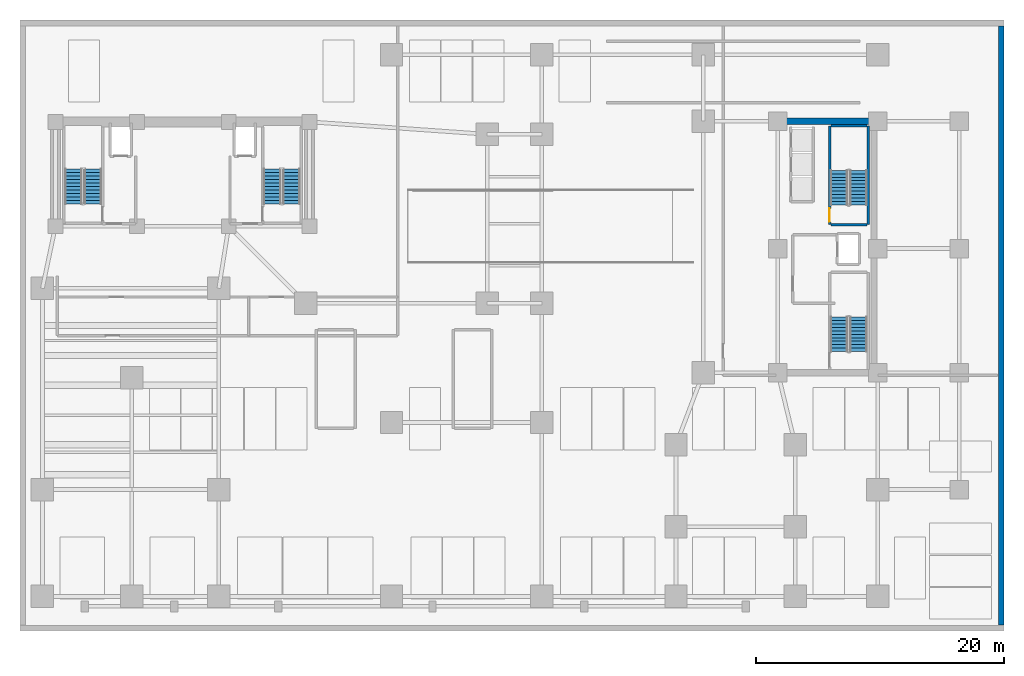
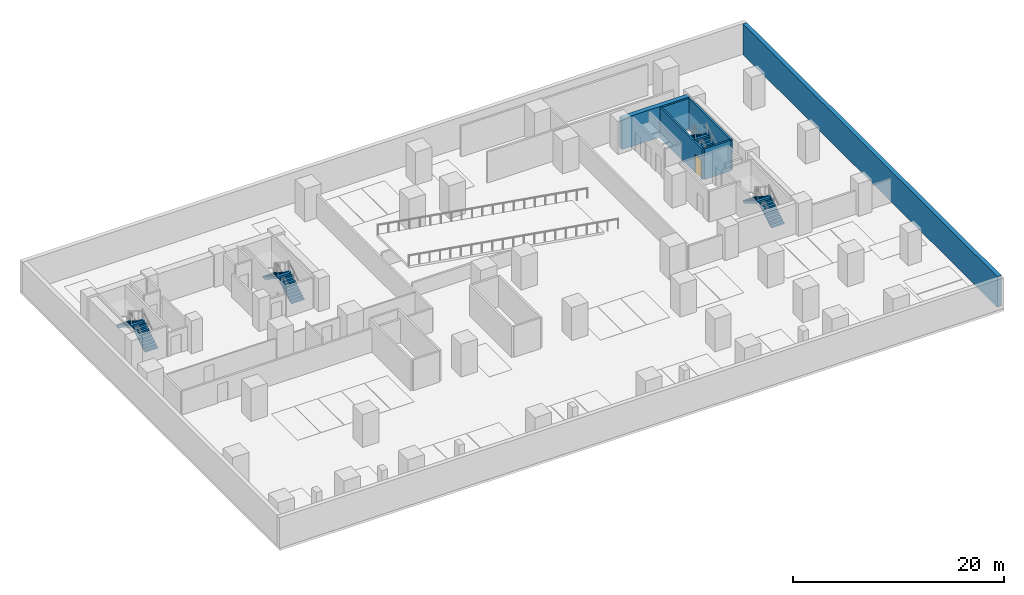
# One storey, part 4 of 9: 8 stair flights, 6 walls, 1 door, 1 opening, 4 elements without a shape of their own.
"""IFC4 building model written with IfcOpenShell, lengths in metres."""

from ifc_helpers import new_model, si_unit, direction, frame, frame_2d, origin, place, context, subcontext, project, spatial, polyline, rectangle, outline, extrude, material, layer, layer_set, type_object, element, fill, aggregate, save


model = new_model("IFC4")

# Units and contexts
model_context = context("Model", 3, precision=1e-05, world=origin(), true_north=direction((0.0, 1.0)))
body_context = subcontext(model_context, "Body", "Model", "MODEL_VIEW")
ifc_project = project(units=[si_unit("LENGTHUNIT", "METRE"), si_unit("AREAUNIT", "SQUARE_METRE"), si_unit("VOLUMEUNIT", "CUBIC_METRE"), si_unit("PLANEANGLEUNIT", "RADIAN"), si_unit("MASSUNIT", "GRAM", prefix="KILO")], contexts=[model_context])

# Site, building, storey
site_placement = place(None, origin())
site = spatial("IfcSite", under=ifc_project, at=site_placement, CompositionType="ELEMENT")
building_placement = place(site_placement, origin())
building = spatial("IfcBuilding", under=site, at=building_placement, Name="Kuzgunbayir Cultural Tower", CompositionType="ELEMENT")
storey_placement = place(building_placement, frame((0.0, 0.0, -7.60009765625)))
storey = spatial("IfcBuildingStorey", under=building, at=storey_placement, Name="B02", CompositionType="ELEMENT", Elevation=-7.60009765625)

# Wall
ifc_material_1 = material(Name="Concrete C40/50", Category="concrete")
ifc_layer_1 = layer(ifc_material_1, 0.449951171875)
ifc_layer_set_1 = layer_set([ifc_layer_1], Name="Concrete C40/50")
wall_type_1 = type_object("IfcWallType", Name="WAL-EXT-BSM-450", PredefinedType="SOLIDWALL", material=ifc_layer_set_1)
wall_1_placement = place(storey_placement, frame((82.580078125, 1.699951171875, 0.0), z_axis=(0.0, 0.0, 1.0), x_axis=(0.0, 1.0, 0.0)))
element("IfcWall", 1, at=wall_1_placement, inside=storey, type_object=wall_type_1, Name="B02 East Retaining Wall", PredefinedType="SOLIDWALL", context=body_context, shape_type="SweptSolid", body=[
    extrude(rectangle(XDim=48.199951171875, YDim=0.449951171875, at=frame_2d((24.10009765625, 0.0))), origin(), (0.0, 0.0, 1.0), 3.550048828125),
])

# Wall, opening, door
ifc_layer_2 = layer(ifc_material_1, 0.199951171875)
ifc_layer_set_2 = layer_set([ifc_layer_2], Name="Concrete C40/50")
wall_type_2 = type_object("IfcWallType", Name="WAL-STAIR-RC-200", PredefinedType="SHEAR", material=ifc_layer_set_2)
wall_2_placement = place(storey_placement, frame((68.760009765625, 33.919921875, 0.0), z_axis=(0.0, 0.0, 1.0), x_axis=(0.0, 1.0, 0.0)))
wall_2 = element("IfcWall", 2, at=wall_2_placement, inside=storey, type_object=wall_type_2, Name="B02 Stair ST-4 West Structural Wall", PredefinedType="SHEAR", context=body_context, shape_type="SweptSolid", body=[
    extrude(rectangle(XDim=7.9599609375, YDim=0.199951171875, at=frame_2d((3.97998046875, 0.0))), origin(), (0.0, 0.0, 1.0), 3.550048828125),
])
opening_placement = place(wall_2_placement, frame((0.219970703125, 0.0, 0.0)))
opening = element("IfcOpeningElement", 3, at=opening_placement, cuts=wall_2, Name="Opening DR-STAIR-90", PredefinedType="OPENING", context=body_context, shape_type="SweptSolid", body=[
    extrude(rectangle(XDim=1.10009765625, YDim=2.14990234375, at=frame_2d((0.550048828125, 1.074951171875))), frame((0.0, 0.10986328125, 0.0), z_axis=(0.0, -1.0, 0.0), x_axis=(1.0, 0.0, 0.0)), (0.0, 0.0, 1.0), 0.219970703125),
])
ifc_material_2 = material(Name="Steel S355J2", Category="steel")
door_type = type_object("IfcDoorType", Name="DR-STAIR-90", OperationType="NOTDEFINED", PredefinedType="DOOR", material=ifc_material_2)
door_placement = place(opening_placement, origin())
door = element("IfcDoor", 4, at=door_placement, inside=storey, type_object=door_type, Name="B02 Stair ST-4 Fire Door", OperationType="SINGLE_SWING_LEFT", OverallHeight=2.14990234375, OverallWidth=1.10009765625, PredefinedType="DOOR", context=body_context, shape_type="SweptSolid", body=[
    extrude(rectangle(XDim=1.10009765625, YDim=2.14990234375, at=frame_2d((0.550048828125, 1.074951171875))), frame((0.0, 0.02490234375, 0.0), z_axis=(0.0, -1.0, 0.0), x_axis=(1.0, 0.0, 0.0)), (0.0, 0.0, 1.0), 0.050048828125),
])
fill(opening, door)

# Walls
wall_3_placement = place(storey_placement, frame((71.8798828125, 33.919921875, 0.0), z_axis=(0.0, 0.0, 1.0), x_axis=(0.0, 1.0, 0.0)))
element("IfcWall", 5, at=wall_3_placement, inside=storey, type_object=wall_type_2, Name="B02 Stair ST-4 East Structural Wall", PredefinedType="SHEAR", context=body_context, shape_type="SweptSolid", body=[
    extrude(rectangle(XDim=7.9599609375, YDim=0.199951171875, at=frame_2d((3.97998046875, 0.0))), origin(), (0.0, 0.0, 1.0), 3.550048828125),
])
for number, where, z_axis, x_axis, name in (
    (6, (68.8798828125, 41.8798828125, 0.0), (0.0, 0.0, 1.0), (1.0, 0.0, 0.0), "B02 Stair ST-4 North Structural Wall"),
    (7, (68.8798828125, 33.919921875, 0.0), (0.0, 0.0, 1.0), (1.0, 0.0, 0.0), "B02 Stair ST-4 South Structural Wall"),
):
    element("IfcWall", number, at=place(storey_placement, frame(where, z_axis=z_axis, x_axis=x_axis)), inside=storey, type_object=wall_type_2, Name=name, PredefinedType="SHEAR", context=body_context, shape_type="SweptSolid", body=[
        extrude(rectangle(XDim=2.880126953125, YDim=0.199951171875, at=frame_2d((1.43994140625, 0.0))), origin(), (0.0, 0.0, 1.0), 3.550048828125),
    ])
ifc_material_3 = material(Name="Concrete C60/75", Category="concrete")
ifc_layer_3 = layer(ifc_material_3, 0.5)
ifc_layer_set_3 = layer_set([ifc_layer_3], Name="Concrete C60/75")
wall_type_3 = type_object("IfcWallType", Name="WAL-T2-CORE-500", PredefinedType="SHEAR", material=ifc_layer_set_3)
wall_4_placement = place(storey_placement, frame((64.60009765625, 42.25, 0.0), z_axis=(0.0, 0.0, 1.0), x_axis=(1.0, 0.0, 0.0)))
element("IfcWall", 8, at=wall_4_placement, inside=storey, type_object=wall_type_3, Name="B02 Companion Core North Shear Wall", PredefinedType="SHEAR", context=body_context, shape_type="SweptSolid", body=[
    extrude(rectangle(XDim=7.5, YDim=0.5, at=frame_2d((3.75, 0.0))), origin(), (0.0, 0.0, 1.0), 3.550048828125),
])

# Stair, stair flights
stair_type = type_object("IfcStairType", Name="STR-EXIT-CORE", PredefinedType="HALF_TURN_STAIR", material=ifc_material_1)
stair_1_placement = place(storey_placement, origin())
stair_1 = element("IfcStair", 9, at=stair_1_placement, inside=storey, type_object=stair_type, Name="B02 ST-1", PredefinedType="HALF_TURN_STAIR")
stair_flight_type = type_object("IfcStairFlightType", Name="STRF-RC-140", PredefinedType="STRAIGHT", material=ifc_material_1)
stair_flight_1_placement = place(storey_placement, frame((9.4599609375, 35.60009765625, 0.0), z_axis=(0.0, 0.0, 1.0), x_axis=(0.0, 1.0, 0.0)))
stair_flight_1 = element("IfcStairFlight", 10, at=stair_flight_1_placement, type_object=stair_flight_type, Name="ST-1 flight 1", NumberOfRisers=11, NumberOfTreads=10, PredefinedType="STRAIGHT", RiserHeight=0.172727273, TreadLength=0.28, context=body_context, shape_type="SweptSolid", body=[
    extrude(outline(polyline([(0.0, 0.0), (0.0, 0.172607421875), (0.280029296875, 0.172607421875), (0.280029296875, 0.345458984375), (0.56005859375, 0.345458984375), (0.56005859375, 0.51806640625), (0.840087890625, 0.51806640625), (0.840087890625, 0.69091796875), (1.1201171875, 0.69091796875), (1.1201171875, 0.863525390625), (1.39990234375, 0.863525390625), (1.39990234375, 1.036376953125), (1.679931640625, 1.036376953125), (1.679931640625, 1.208984375), (1.9599609375, 1.208984375), (1.9599609375, 1.3818359375), (2.239990234375, 1.3818359375), (2.239990234375, 1.554443359375), (2.52001953125, 1.554443359375), (2.52001953125, 1.727294921875), (2.800048828125, 1.727294921875), (2.800048828125, 1.89990234375), (2.800048828125, 1.515869140625), (0.3427734375, 0.0), (0.0, 0.0)])), frame((0.0, 0.699951171875, 0.0), z_axis=(0.0, -1.0, 0.0), x_axis=(1.0, 0.0, 0.0)), (0.0, 0.0, 1.0), 1.39990234375),
])
stair_flight_2_placement = place(storey_placement, frame((7.89990234375, 38.39990234375, 1.900146484375), z_axis=(0.0, 0.0, 1.0), x_axis=(0.0, -1.0, 0.0)))
stair_flight_2 = element("IfcStairFlight", 11, at=stair_flight_2_placement, type_object=stair_flight_type, Name="ST-1 flight 2", NumberOfRisers=11, NumberOfTreads=10, PredefinedType="STRAIGHT", RiserHeight=0.172727273, TreadLength=0.28, context=body_context, shape_type="SweptSolid", body=[
    extrude(outline(polyline([(0.0, 0.0), (0.0, 0.172607421875), (0.280029296875, 0.172607421875), (0.280029296875, 0.345458984375), (0.56005859375, 0.345458984375), (0.56005859375, 0.51806640625), (0.840087890625, 0.51806640625), (0.840087890625, 0.69091796875), (1.1201171875, 0.69091796875), (1.1201171875, 0.863525390625), (1.39990234375, 0.863525390625), (1.39990234375, 1.036376953125), (1.679931640625, 1.036376953125), (1.679931640625, 1.208984375), (1.9599609375, 1.208984375), (1.9599609375, 1.3818359375), (2.239990234375, 1.3818359375), (2.239990234375, 1.554443359375), (2.52001953125, 1.554443359375), (2.52001953125, 1.727294921875), (2.800048828125, 1.727294921875), (2.800048828125, 1.89990234375), (2.800048828125, 1.515869140625), (0.3427734375, 0.0), (0.0, 0.0)])), frame((0.0, 0.699951171875, 0.0), z_axis=(0.0, -1.0, 0.0), x_axis=(1.0, 0.0, 0.0)), (0.0, 0.0, 1.0), 1.39990234375),
])
aggregate(stair_1, [stair_flight_1, stair_flight_2])

stair_2_placement = place(storey_placement, origin())
stair_2 = element("IfcStair", 12, at=stair_2_placement, inside=storey, type_object=stair_type, Name="B02 ST-2", PredefinedType="HALF_TURN_STAIR")
stair_flight_3_placement = place(storey_placement, frame((25.4599609375, 35.60009765625, 0.0), z_axis=(0.0, 0.0, 1.0), x_axis=(0.0, 1.0, 0.0)))
stair_flight_3 = element("IfcStairFlight", 13, at=stair_flight_3_placement, type_object=stair_flight_type, Name="ST-2 flight 1", NumberOfRisers=11, NumberOfTreads=10, PredefinedType="STRAIGHT", RiserHeight=0.172727273, TreadLength=0.28, context=body_context, shape_type="SweptSolid", body=[
    extrude(outline(polyline([(0.0, 0.0), (0.0, 0.172607421875), (0.280029296875, 0.172607421875), (0.280029296875, 0.345458984375), (0.56005859375, 0.345458984375), (0.56005859375, 0.51806640625), (0.840087890625, 0.51806640625), (0.840087890625, 0.69091796875), (1.1201171875, 0.69091796875), (1.1201171875, 0.863525390625), (1.39990234375, 0.863525390625), (1.39990234375, 1.036376953125), (1.679931640625, 1.036376953125), (1.679931640625, 1.208984375), (1.9599609375, 1.208984375), (1.9599609375, 1.3818359375), (2.239990234375, 1.3818359375), (2.239990234375, 1.554443359375), (2.52001953125, 1.554443359375), (2.52001953125, 1.727294921875), (2.800048828125, 1.727294921875), (2.800048828125, 1.89990234375), (2.800048828125, 1.515869140625), (0.3427734375, 0.0), (0.0, 0.0)])), frame((0.0, 0.699951171875, 0.0), z_axis=(0.0, -1.0, 0.0), x_axis=(1.0, 0.0, 0.0)), (0.0, 0.0, 1.0), 1.39990234375),
])
stair_flight_4_placement = place(storey_placement, frame((23.89990234375, 38.39990234375, 1.900146484375), z_axis=(0.0, 0.0, 1.0), x_axis=(0.0, -1.0, 0.0)))
stair_flight_4 = element("IfcStairFlight", 14, at=stair_flight_4_placement, type_object=stair_flight_type, Name="ST-2 flight 2", NumberOfRisers=11, NumberOfTreads=10, PredefinedType="STRAIGHT", RiserHeight=0.172727273, TreadLength=0.28, context=body_context, shape_type="SweptSolid", body=[
    extrude(outline(polyline([(0.0, 0.0), (0.0, 0.172607421875), (0.280029296875, 0.172607421875), (0.280029296875, 0.345458984375), (0.56005859375, 0.345458984375), (0.56005859375, 0.51806640625), (0.840087890625, 0.51806640625), (0.840087890625, 0.69091796875), (1.1201171875, 0.69091796875), (1.1201171875, 0.863525390625), (1.39990234375, 0.863525390625), (1.39990234375, 1.036376953125), (1.679931640625, 1.036376953125), (1.679931640625, 1.208984375), (1.9599609375, 1.208984375), (1.9599609375, 1.3818359375), (2.239990234375, 1.3818359375), (2.239990234375, 1.554443359375), (2.52001953125, 1.554443359375), (2.52001953125, 1.727294921875), (2.800048828125, 1.727294921875), (2.800048828125, 1.89990234375), (2.800048828125, 1.515869140625), (0.3427734375, 0.0), (0.0, 0.0)])), frame((0.0, 0.699951171875, 0.0), z_axis=(0.0, -1.0, 0.0), x_axis=(1.0, 0.0, 0.0)), (0.0, 0.0, 1.0), 1.39990234375),
])
aggregate(stair_2, [stair_flight_3, stair_flight_4])

stair_3_placement = place(storey_placement, origin())
stair_3 = element("IfcStair", 15, at=stair_3_placement, inside=storey, type_object=stair_type, Name="B02 ST-3", PredefinedType="HALF_TURN_STAIR")
stair_flight_5_placement = place(storey_placement, frame((71.10009765625, 23.699951171875, 0.0), z_axis=(0.0, 0.0, 1.0), x_axis=(0.0, 1.0, 0.0)))
stair_flight_5 = element("IfcStairFlight", 16, at=stair_flight_5_placement, type_object=stair_flight_type, Name="ST-3 flight 1", NumberOfRisers=11, NumberOfTreads=10, PredefinedType="STRAIGHT", RiserHeight=0.172727273, TreadLength=0.28, context=body_context, shape_type="SweptSolid", body=[
    extrude(outline(polyline([(0.0, 0.0), (0.0, 0.172607421875), (0.280029296875, 0.172607421875), (0.280029296875, 0.345458984375), (0.56005859375, 0.345458984375), (0.56005859375, 0.51806640625), (0.840087890625, 0.51806640625), (0.840087890625, 0.69091796875), (1.1201171875, 0.69091796875), (1.1201171875, 0.863525390625), (1.39990234375, 0.863525390625), (1.39990234375, 1.036376953125), (1.679931640625, 1.036376953125), (1.679931640625, 1.208984375), (1.9599609375, 1.208984375), (1.9599609375, 1.3818359375), (2.239990234375, 1.3818359375), (2.239990234375, 1.554443359375), (2.52001953125, 1.554443359375), (2.52001953125, 1.727294921875), (2.800048828125, 1.727294921875), (2.800048828125, 1.89990234375), (2.800048828125, 1.515869140625), (0.3427734375, 0.0), (0.0, 0.0)])), frame((0.0, 0.699951171875, 0.0), z_axis=(0.0, -1.0, 0.0), x_axis=(1.0, 0.0, 0.0)), (0.0, 0.0, 1.0), 1.39990234375),
])
stair_flight_6_placement = place(storey_placement, frame((69.5400390625, 26.5, 1.900146484375), z_axis=(0.0, 0.0, 1.0), x_axis=(0.0, -1.0, 0.0)))
stair_flight_6 = element("IfcStairFlight", 17, at=stair_flight_6_placement, type_object=stair_flight_type, Name="ST-3 flight 2", NumberOfRisers=11, NumberOfTreads=10, PredefinedType="STRAIGHT", RiserHeight=0.172727273, TreadLength=0.28, context=body_context, shape_type="SweptSolid", body=[
    extrude(outline(polyline([(0.0, 0.0), (0.0, 0.172607421875), (0.280029296875, 0.172607421875), (0.280029296875, 0.345458984375), (0.56005859375, 0.345458984375), (0.56005859375, 0.51806640625), (0.840087890625, 0.51806640625), (0.840087890625, 0.69091796875), (1.1201171875, 0.69091796875), (1.1201171875, 0.863525390625), (1.39990234375, 0.863525390625), (1.39990234375, 1.036376953125), (1.679931640625, 1.036376953125), (1.679931640625, 1.208984375), (1.9599609375, 1.208984375), (1.9599609375, 1.3818359375), (2.239990234375, 1.3818359375), (2.239990234375, 1.554443359375), (2.52001953125, 1.554443359375), (2.52001953125, 1.727294921875), (2.800048828125, 1.727294921875), (2.800048828125, 1.89990234375), (2.800048828125, 1.515869140625), (0.3427734375, 0.0), (0.0, 0.0)])), frame((0.0, 0.699951171875, 0.0), z_axis=(0.0, -1.0, 0.0), x_axis=(1.0, 0.0, 0.0)), (0.0, 0.0, 1.0), 1.39990234375),
])
aggregate(stair_3, [stair_flight_5, stair_flight_6])

stair_4_placement = place(storey_placement, origin())
stair_4 = element("IfcStair", 18, at=stair_4_placement, inside=storey, type_object=stair_type, Name="B02 ST-4", PredefinedType="HALF_TURN_STAIR")
stair_flight_7_placement = place(storey_placement, frame((71.10009765625, 35.5, 0.0), z_axis=(0.0, 0.0, 1.0), x_axis=(0.0, 1.0, 0.0)))
stair_flight_7 = element("IfcStairFlight", 19, at=stair_flight_7_placement, type_object=stair_flight_type, Name="ST-4 flight 1", NumberOfRisers=11, NumberOfTreads=10, PredefinedType="STRAIGHT", RiserHeight=0.172727273, TreadLength=0.28, context=body_context, shape_type="SweptSolid", body=[
    extrude(outline(polyline([(0.0, 0.0), (0.0, 0.172607421875), (0.280029296875, 0.172607421875), (0.280029296875, 0.345458984375), (0.56005859375, 0.345458984375), (0.56005859375, 0.51806640625), (0.840087890625, 0.51806640625), (0.840087890625, 0.69091796875), (1.1201171875, 0.69091796875), (1.1201171875, 0.863525390625), (1.39990234375, 0.863525390625), (1.39990234375, 1.036376953125), (1.679931640625, 1.036376953125), (1.679931640625, 1.208984375), (1.9599609375, 1.208984375), (1.9599609375, 1.3818359375), (2.239990234375, 1.3818359375), (2.239990234375, 1.554443359375), (2.52001953125, 1.554443359375), (2.52001953125, 1.727294921875), (2.800048828125, 1.727294921875), (2.800048828125, 1.89990234375), (2.800048828125, 1.515869140625), (0.3427734375, 0.0), (0.0, 0.0)])), frame((0.0, 0.699951171875, 0.0), z_axis=(0.0, -1.0, 0.0), x_axis=(1.0, 0.0, 0.0)), (0.0, 0.0, 1.0), 1.39990234375),
])
stair_flight_8_placement = place(storey_placement, frame((69.5400390625, 38.300048828125, 1.900146484375), z_axis=(0.0, 0.0, 1.0), x_axis=(0.0, -1.0, 0.0)))
stair_flight_8 = element("IfcStairFlight", 20, at=stair_flight_8_placement, type_object=stair_flight_type, Name="ST-4 flight 2", NumberOfRisers=11, NumberOfTreads=10, PredefinedType="STRAIGHT", RiserHeight=0.172727273, TreadLength=0.28, context=body_context, shape_type="SweptSolid", body=[
    extrude(outline(polyline([(0.0, 0.0), (0.0, 0.172607421875), (0.280029296875, 0.172607421875), (0.280029296875, 0.345458984375), (0.56005859375, 0.345458984375), (0.56005859375, 0.51806640625), (0.840087890625, 0.51806640625), (0.840087890625, 0.69091796875), (1.1201171875, 0.69091796875), (1.1201171875, 0.863525390625), (1.39990234375, 0.863525390625), (1.39990234375, 1.036376953125), (1.679931640625, 1.036376953125), (1.679931640625, 1.208984375), (1.9599609375, 1.208984375), (1.9599609375, 1.3818359375), (2.239990234375, 1.3818359375), (2.239990234375, 1.554443359375), (2.52001953125, 1.554443359375), (2.52001953125, 1.727294921875), (2.800048828125, 1.727294921875), (2.800048828125, 1.89990234375), (2.800048828125, 1.515869140625), (0.3427734375, 0.0), (0.0, 0.0)])), frame((0.0, 0.699951171875, 0.0), z_axis=(0.0, -1.0, 0.0), x_axis=(1.0, 0.0, 0.0)), (0.0, 0.0, 1.0), 1.39990234375),
])
aggregate(stair_4, [stair_flight_7, stair_flight_8])

save(model, "model.ifc")
